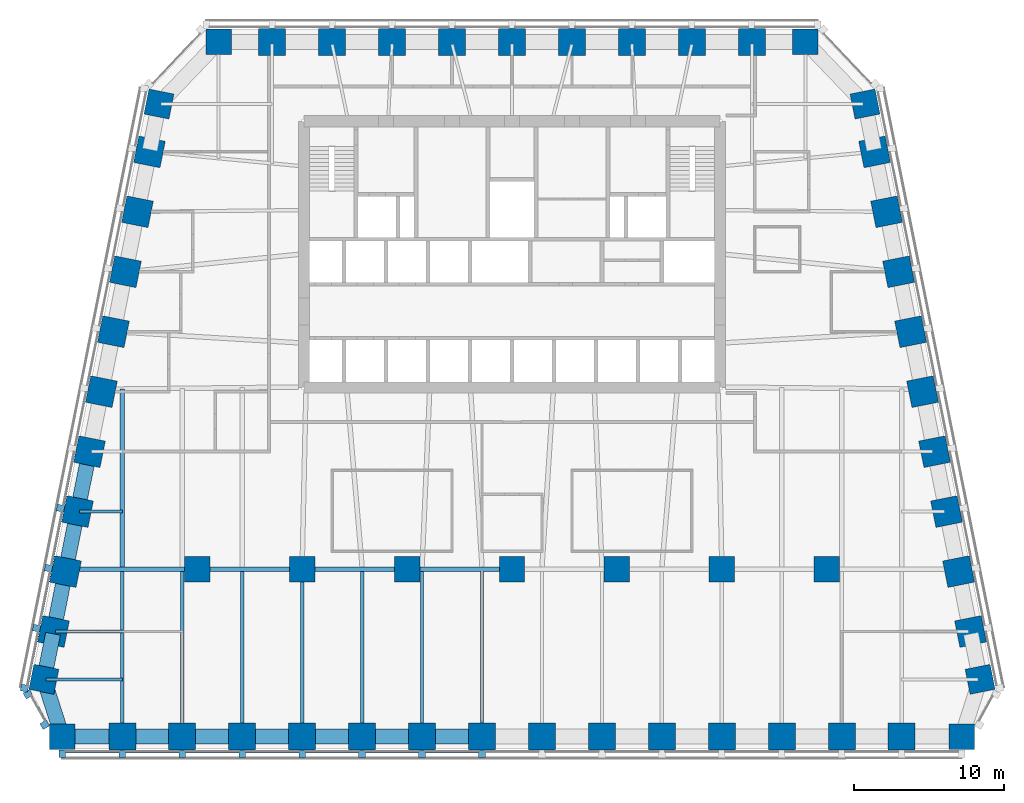
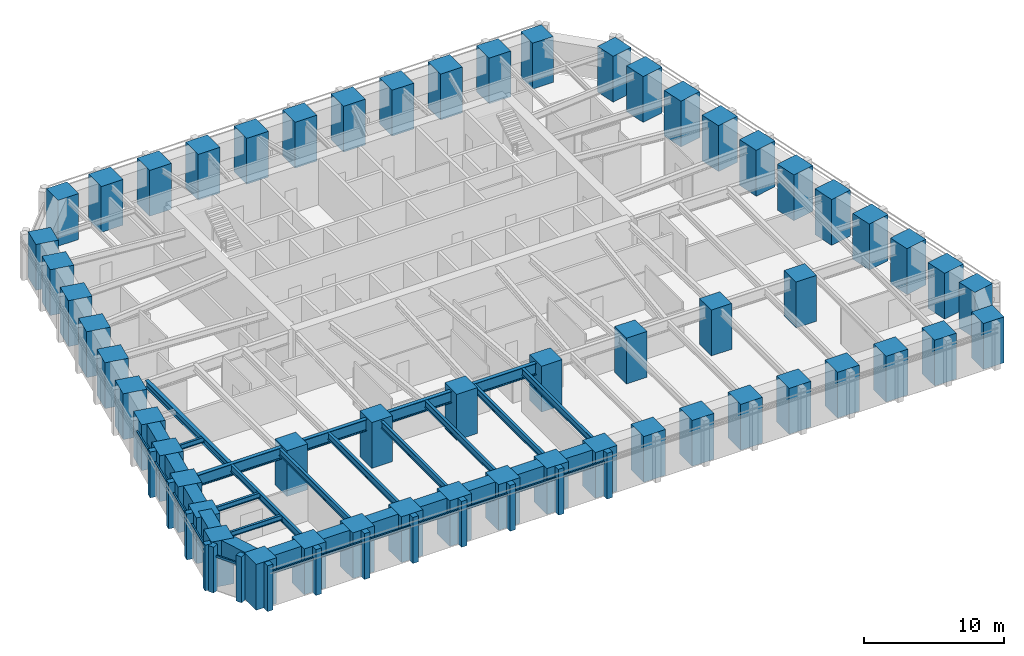
# One storey, part 1 of 10: 56 columns, 27 beams, 26 members, 3 elements without a shape of their own.
"""IFC4 building model written with IfcOpenShell, lengths in metres."""

from ifc_helpers import new_model, si_unit, direction, frame, origin, origin_2d, place, context, subcontext, project, spatial, rectangle, i_section, extrude, material, material_profile, profile_set, type_object, element, aggregate, save


model = new_model("IFC4")

# Units and contexts
model_context = context("Model", 3, precision=1e-05, world=origin(), true_north=direction((0.0, 1.0)))
body_context = subcontext(model_context, "Body", "Model", "MODEL_VIEW")
ifc_project = project(units=[si_unit("LENGTHUNIT", "METRE"), si_unit("AREAUNIT", "SQUARE_METRE"), si_unit("VOLUMEUNIT", "CUBIC_METRE"), si_unit("PLANEANGLEUNIT", "RADIAN"), si_unit("MASSUNIT", "GRAM", prefix="KILO")], contexts=[model_context])

# Site, building, storey
site_placement = place(None, origin())
site = spatial("IfcSite", under=ifc_project, at=site_placement, CompositionType="ELEMENT")
building_placement = place(site_placement, origin())
building = spatial("IfcBuilding", under=site, at=building_placement, Name="Isbrekke Arena Tower", CompositionType="ELEMENT")
storey_placement = place(building_placement, frame((0.0, 0.0, 115.0)))
storey = spatial("IfcBuildingStorey", under=building, at=storey_placement, Name="L25", CompositionType="ELEMENT", Elevation=115.0)

# Columns
ifc_material_1 = material(Name="Concrete B80 (C80/95)", Category="concrete")
ifc_material_profile_1 = material_profile(ifc_material_1, rectangle(XDim=1.699951171875, YDim=1.699951171875, at=origin_2d()), Name="RC 1700x1700")
ifc_profile_set_1 = profile_set([ifc_material_profile_1], Name="Concrete B80 (C80/95)")
column_type_1 = type_object("IfcColumnType", Name="C12 RC 1700 x 1700", PredefinedType="COLUMN", material=ifc_profile_set_1)
for number, where, z_axis, x_axis, name in (
    (1, (-21.0, -6.0, 0.0), (0.0, 0.0, 1.0), (1.0, 0.0, 0.0), "C12 I01"),
    (2, (-14.0, -6.0, 0.0), (0.0, 0.0, 1.0), (1.0, 0.0, 0.0), "C12 I02"),
    (3, (-7.0, -6.0, 0.0), (0.0, 0.0, 1.0), (1.0, 0.0, 0.0), "C12 I03"),
    (4, (0.0, -6.0, 0.0), (0.0, 0.0, 1.0), (1.0, 0.0, 0.0), "C12 I04"),
    (5, (7.0, -6.0, 0.0), (0.0, 0.0, 1.0), (1.0, 0.0, 0.0), "C12 I05"),
    (6, (14.0, -6.0, 0.0), (0.0, 0.0, 1.0), (1.0, 0.0, 0.0), "C12 I06"),
    (7, (21.0, -6.0, 0.0), (0.0, 0.0, 1.0), (1.0, 0.0, 0.0), "C12 I07"),
):
    element("IfcColumn", number, at=place(storey_placement, frame(where, z_axis=z_axis, x_axis=x_axis)), inside=storey, type_object=column_type_1, Name=name, PredefinedType="COLUMN", context=body_context, shape_type="SweptSolid", body=[
        extrude(rectangle(XDim=1.699951171875, YDim=1.699951171875, at=origin_2d()), origin(), (0.0, 0.0, 1.0), 4.0),
    ])
ifc_material_2 = material(Name="Concrete B80 (C80/95)", Category="concrete")
ifc_material_profile_2 = material_profile(ifc_material_2, rectangle(XDim=1.800048828125, YDim=1.800048828125, at=origin_2d()), Name="RC 1800x1800")
ifc_profile_set_2 = profile_set([ifc_material_profile_2], Name="Concrete B80 (C80/95)")
column_type_2 = type_object("IfcColumnType", Name="C3 RC 1800 x 1800", PredefinedType="COLUMN", material=ifc_profile_set_2)
for number, where, z_axis, x_axis, name in (
    (8, (-26.0, -17.175048828125, 0.0), (0.0, 0.0, 1.0), (1.0, 0.0, 0.0), "C3 S02"),
    (9, (-22.0, -17.175048828125, 0.0), (0.0, 0.0, 1.0), (1.0, 0.0, 0.0), "C3 S03"),
    (10, (-18.0, -17.175048828125, 0.0), (0.0, 0.0, 1.0), (1.0, 0.0, 0.0), "C3 S04"),
    (11, (-14.0, -17.175048828125, 0.0), (0.0, 0.0, 1.0), (1.0, 0.0, 0.0), "C3 S05"),
    (12, (-10.0, -17.175048828125, 0.0), (0.0, 0.0, 1.0), (1.0, 0.0, 0.0), "C3 S06"),
    (13, (-6.0, -17.175048828125, 0.0), (0.0, 0.0, 1.0), (1.0, 0.0, 0.0), "C3 S07"),
    (14, (-2.0, -17.175048828125, 0.0), (0.0, 0.0, 1.0), (1.0, 0.0, 0.0), "C3 S08"),
    (15, (2.0, -17.175048828125, 0.0), (0.0, 0.0, 1.0), (1.0, 0.0, 0.0), "C3 S09"),
    (16, (6.0, -17.175048828125, 0.0), (0.0, 0.0, 1.0), (1.0, 0.0, 0.0), "C3 S10"),
    (17, (10.0, -17.175048828125, 0.0), (0.0, 0.0, 1.0), (1.0, 0.0, 0.0), "C3 S11"),
    (18, (14.0, -17.175048828125, 0.0), (0.0, 0.0, 1.0), (1.0, 0.0, 0.0), "C3 S12"),
    (19, (18.0, -17.175048828125, 0.0), (0.0, 0.0, 1.0), (1.0, 0.0, 0.0), "C3 S13"),
    (20, (22.0, -17.175048828125, 0.0), (0.0, 0.0, 1.0), (1.0, 0.0, 0.0), "C3 S14"),
    (21, (26.0, -17.175048828125, 0.0), (0.0, 0.0, 1.0), (1.0, 0.0, 0.0), "C3 S15"),
    (22, (30.591064453125, -10.161865234375, 0.0), (0.0, 0.0, 1.0), (-0.196116135138, 0.980580675691, 0.0), "C3 E02"),
    (23, (29.791015625, -6.161865234375, 0.0), (0.0, 0.0, 1.0), (-0.196116135138, 0.980580675691, 0.0), "C3 E03"),
    (24, (28.990966796875, -2.161865234375, 0.0), (0.0, 0.0, 1.0), (-0.196116135138, 0.980580675691, 0.0), "C3 E04"),
    (25, (28.19091796875, 1.838134765625, 0.0), (0.0, 0.0, 1.0), (-0.196116135138, 0.980580675691, 0.0), "C3 E05"),
    (26, (27.39111328125, 5.838134765625, 0.0), (0.0, 0.0, 1.0), (-0.196116135138, 0.980580675691, 0.0), "C3 E06"),
    (27, (26.591064453125, 9.838134765625, 0.0), (0.0, 0.0, 1.0), (-0.196116135138, 0.980580675691, 0.0), "C3 E07"),
    (28, (25.791015625, 13.838134765625, 0.0), (0.0, 0.0, 1.0), (-0.196116135138, 0.980580675691, 0.0), "C3 E08"),
    (29, (24.990966796875, 17.838134765625, 0.0), (0.0, 0.0, 1.0), (-0.196116135138, 0.980580675691, 0.0), "C3 E09"),
    (30, (24.19091796875, 21.838134765625, 0.0), (0.0, 0.0, 1.0), (-0.196116135138, 0.980580675691, 0.0), "C3 E10"),
    (31, (16.0, 29.175048828125, 0.0), (0.0, 0.0, 1.0), (-1.0, 0.0, 0.0), "C3 N02"),
    (32, (12.0, 29.175048828125, 0.0), (0.0, 0.0, 1.0), (-1.0, 0.0, 0.0), "C3 N03"),
    (33, (8.0, 29.175048828125, 0.0), (0.0, 0.0, 1.0), (-1.0, 0.0, 0.0), "C3 N04"),
    (34, (4.0, 29.175048828125, 0.0), (0.0, 0.0, 1.0), (-1.0, 0.0, 0.0), "C3 N05"),
    (35, (0.0, 29.175048828125, 0.0), (0.0, 0.0, 1.0), (-1.0, 0.0, 0.0), "C3 N06"),
    (36, (-4.0, 29.175048828125, 0.0), (0.0, 0.0, 1.0), (-1.0, 0.0, 0.0), "C3 N07"),
    (37, (-8.0, 29.175048828125, 0.0), (0.0, 0.0, 1.0), (-1.0, 0.0, 0.0), "C3 N08"),
    (38, (-12.0, 29.175048828125, 0.0), (0.0, 0.0, 1.0), (-1.0, 0.0, 0.0), "C3 N09"),
    (39, (-16.0, 29.175048828125, 0.0), (0.0, 0.0, 1.0), (-1.0, 0.0, 0.0), "C3 N10"),
    (40, (-24.19091796875, 21.838134765625, 0.0), (0.0, 0.0, 1.0), (-0.196116135138, -0.980580675691, 0.0), "C3 W02"),
    (41, (-24.990966796875, 17.838134765625, 0.0), (0.0, 0.0, 1.0), (-0.196116135138, -0.980580675691, 0.0), "C3 W03"),
    (42, (-25.791015625, 13.838134765625, 0.0), (0.0, 0.0, 1.0), (-0.196116135138, -0.980580675691, 0.0), "C3 W04"),
    (43, (-26.591064453125, 9.838134765625, 0.0), (0.0, 0.0, 1.0), (-0.196116135138, -0.980580675691, 0.0), "C3 W05"),
    (44, (-27.39111328125, 5.838134765625, 0.0), (0.0, 0.0, 1.0), (-0.196116135138, -0.980580675691, 0.0), "C3 W06"),
    (45, (-28.19091796875, 1.838134765625, 0.0), (0.0, 0.0, 1.0), (-0.196116135138, -0.980580675691, 0.0), "C3 W07"),
    (46, (-28.990966796875, -2.161865234375, 0.0), (0.0, 0.0, 1.0), (-0.196116135138, -0.980580675691, 0.0), "C3 W08"),
    (47, (-29.791015625, -6.161865234375, 0.0), (0.0, 0.0, 1.0), (-0.196116135138, -0.980580675691, 0.0), "C3 W09"),
    (48, (-30.591064453125, -10.161865234375, 0.0), (0.0, 0.0, 1.0), (-0.196116135138, -0.980580675691, 0.0), "C3 W10"),
):
    element("IfcColumn", number, at=place(storey_placement, frame(where, z_axis=z_axis, x_axis=x_axis)), inside=storey, type_object=column_type_2, Name=name, PredefinedType="COLUMN", context=body_context, shape_type="SweptSolid", body=[
        extrude(rectangle(XDim=1.800048828125, YDim=1.800048828125, at=origin_2d()), origin(), (0.0, 0.0, 1.0), 4.0),
    ])
ifc_material_3 = material(Name="Concrete B80 (C80/95)", Category="concrete")
ifc_material_profile_3 = material_profile(ifc_material_3, rectangle(XDim=1.699951171875, YDim=1.699951171875, at=origin_2d()), Name="RC 1700x1700")
ifc_profile_set_3 = profile_set([ifc_material_profile_3], Name="Concrete B80 (C80/95)")
column_type_3 = type_object("IfcColumnType", Name="C7 RC 1700 x 1700", PredefinedType="COLUMN", material=ifc_profile_set_3)
for number, where, z_axis, x_axis, name in (
    (49, (-30.0, -17.175048828125, 0.0), (0.0, 0.0, 1.0), (1.0, 0.0, 0.0), "C7 S01"),
    (50, (30.0, -17.175048828125, 0.0), (0.0, 0.0, 1.0), (1.0, 0.0, 0.0), "C7 S16"),
    (51, (31.229248046875, -13.352783203125, 0.0), (0.0, 0.0, 1.0), (-0.196116135138, 0.980580675691, 0.0), "C7 E01"),
    (52, (23.552734375, 25.029296875, 0.0), (0.0, 0.0, 1.0), (-0.196116135138, 0.980580675691, 0.0), "C7 E11"),
    (53, (19.574951171875, 29.175048828125, 0.0), (0.0, 0.0, 1.0), (-1.0, 0.0, 0.0), "C7 N01"),
    (54, (-19.574951171875, 29.175048828125, 0.0), (0.0, 0.0, 1.0), (-1.0, 0.0, 0.0), "C7 N11"),
    (55, (-23.552734375, 25.029296875, 0.0), (0.0, 0.0, 1.0), (-0.196116135138, -0.980580675691, 0.0), "C7 W01"),
    (56, (-31.229248046875, -13.352783203125, 0.0), (0.0, 0.0, 1.0), (-0.196116135138, -0.980580675691, 0.0), "C7 W11"),
):
    element("IfcColumn", number, at=place(storey_placement, frame(where, z_axis=z_axis, x_axis=x_axis)), inside=storey, type_object=column_type_3, Name=name, PredefinedType="COLUMN", context=body_context, shape_type="SweptSolid", body=[
        extrude(rectangle(XDim=1.699951171875, YDim=1.699951171875, at=origin_2d()), origin(), (0.0, 0.0, 1.0), 4.0),
    ])

# Beams
ifc_material_4 = material(Name="Steel S355", Category="steel")
ifc_material_profile_4 = material_profile(ifc_material_4, i_section(OverallWidth=0.219970703125, OverallDepth=0.60009765625, WebThickness=0.011962890625, FlangeThickness=0.01904296875, FilletRadius=0.02392578125, at=origin_2d()), Name="IPE 600")
ifc_profile_set_4 = profile_set([ifc_material_profile_4], Name="Steel S355")
beam_type_1 = type_object("IfcBeamType", Name="B1 IPE 600", PredefinedType="BEAM", material=ifc_profile_set_4)
for number, where, z_axis, x_axis, name in (
    (57, (-26.0, -17.02490234375, 3.550048828125), (0.0, 1.0, 0.0), (-1.0, 0.0, 0.0), "B1 beam S-S02 L25"),
    (58, (-22.0, -17.02490234375, 3.550048828125), (0.0, 1.0, 0.0), (-1.0, 0.0, 0.0), "B1 beam S-S03 L25"),
    (59, (-18.0, -17.02490234375, 3.550048828125), (0.0, 1.0, 0.0), (-1.0, 0.0, 0.0), "B1 beam S-S04 L25"),
):
    element("IfcBeam", number, at=place(storey_placement, frame(where, z_axis=z_axis, x_axis=x_axis)), inside=storey, type_object=beam_type_1, Name=name, PredefinedType="BEAM", context=body_context, shape_type="SweptSolid", body=[
        extrude(i_section(OverallWidth=0.219970703125, OverallDepth=0.60009765625, WebThickness=0.011962890625, FlangeThickness=0.01904296875, FilletRadius=0.02392578125, at=origin_2d()), origin(), (0.0, 0.0, 1.0), 10.8740234375),
    ])
beam_1_placement = place(storey_placement, frame((-14.0, -17.02490234375, 3.550048828125), z_axis=(0.0, 1.0, 0.0), x_axis=(-1.0, 0.0, 0.0)))
element("IfcBeam", 60, at=beam_1_placement, inside=storey, type_object=beam_type_1, Name="B1 beam S-S05 L25", PredefinedType="BEAM", context=body_context, shape_type="SweptSolid", body=[
    extrude(i_section(OverallWidth=0.219970703125, OverallDepth=0.60009765625, WebThickness=0.011962890625, FlangeThickness=0.01904296875, FilletRadius=0.02392578125, at=origin_2d()), origin(), (0.0, 0.0, 1.0), 10.875),
])
for number, where, z_axis, x_axis, name in (
    (61, (-10.0, -17.02490234375, 3.550048828125), (0.0, 1.0, 0.0), (-1.0, 0.0, 0.0), "B1 beam S-S06 L25"),
    (62, (-6.0, -17.02490234375, 3.550048828125), (0.0, 1.0, 0.0), (-1.0, 0.0, 0.0), "B1 beam S-S07 L25"),
    (63, (-2.0, -17.02490234375, 3.550048828125), (0.0, 1.0, 0.0), (-1.0, 0.0, 0.0), "B1 beam S-S08 L25"),
):
    element("IfcBeam", number, at=place(storey_placement, frame(where, z_axis=z_axis, x_axis=x_axis)), inside=storey, type_object=beam_type_1, Name=name, PredefinedType="BEAM", context=body_context, shape_type="SweptSolid", body=[
        extrude(i_section(OverallWidth=0.219970703125, OverallDepth=0.60009765625, WebThickness=0.011962890625, FlangeThickness=0.01904296875, FilletRadius=0.02392578125, at=origin_2d()), origin(), (0.0, 0.0, 1.0), 10.8740234375),
    ])
ifc_material_5 = material(Name="Steel S355", Category="steel")
ifc_material_profile_5 = material_profile(ifc_material_5, i_section(OverallWidth=0.18994140625, OverallDepth=0.449951171875, WebThickness=0.009521484375, FlangeThickness=0.0146484375, FilletRadius=0.02099609375, at=origin_2d()), Name="IPE 450")
ifc_profile_set_5 = profile_set([ifc_material_profile_5], Name="Steel S355")
beam_type_2 = type_object("IfcBeamType", Name="B2 IPE 450", PredefinedType="BEAM", material=ifc_profile_set_5)
beam_2_placement = place(storey_placement, frame((-28.841064453125, -2.161865234375, 3.625), z_axis=(1.0, 0.0, 0.0), x_axis=(0.0, 1.0, 0.0)))
element("IfcBeam", 64, at=beam_2_placement, inside=storey, type_object=beam_type_2, Name="B2 beam E-W08 L25", PredefinedType="BEAM", context=body_context, shape_type="SweptSolid", body=[
    extrude(i_section(OverallWidth=0.18994140625, OverallDepth=0.449951171875, WebThickness=0.009521484375, FlangeThickness=0.0146484375, FilletRadius=0.02099609375, at=origin_2d()), origin(), (0.0, 0.0, 1.0), 2.841064453125),
])
beam_3_placement = place(storey_placement, frame((-30.44091796875, -10.161865234375, 3.625), z_axis=(1.0, 0.0, 0.0), x_axis=(0.0, 1.0, 0.0)))
element("IfcBeam", 65, at=beam_3_placement, inside=storey, type_object=beam_type_2, Name="B2 beam E-W10 L25", PredefinedType="BEAM", context=body_context, shape_type="SweptSolid", body=[
    extrude(i_section(OverallWidth=0.18994140625, OverallDepth=0.449951171875, WebThickness=0.009521484375, FlangeThickness=0.0146484375, FilletRadius=0.02099609375, at=origin_2d()), origin(), (0.0, 0.0, 1.0), 4.44091796875),
])
beam_4_placement = place(storey_placement, frame((-31.079345703125, -13.352783203125, 3.625), z_axis=(1.0, 0.0, 0.0), x_axis=(0.0, 1.0, 0.0)))
element("IfcBeam", 66, at=beam_4_placement, inside=storey, type_object=beam_type_2, Name="B2 beam E-W11 L25", PredefinedType="BEAM", context=body_context, shape_type="SweptSolid", body=[
    extrude(i_section(OverallWidth=0.18994140625, OverallDepth=0.449951171875, WebThickness=0.009521484375, FlangeThickness=0.0146484375, FilletRadius=0.02099609375, at=origin_2d()), origin(), (0.0, 0.0, 1.0), 5.079345703125),
])
ifc_material_6 = material(Name="Steel S355", Category="steel")
ifc_material_profile_6 = material_profile(ifc_material_6, i_section(OverallWidth=0.300048828125, OverallDepth=0.60009765625, WebThickness=0.015380859375, FlangeThickness=0.030029296875, FilletRadius=0.027099609375, at=origin_2d()), Name="HEB 600")
ifc_profile_set_6 = profile_set([ifc_material_profile_6], Name="Steel S355")
beam_type_3 = type_object("IfcBeamType", Name="B7 HEB 600", PredefinedType="BEAM", material=ifc_profile_set_6)
beam_5_placement = place(storey_placement, frame((-26.0, -5.84912109375, 3.550048828125), z_axis=(0.0, 1.0, 0.0), x_axis=(-1.0, 0.0, 0.0)))
element("IfcBeam", 67, at=beam_5_placement, inside=storey, type_object=beam_type_3, Name="B7 beam C-M01 L25", PredefinedType="BEAM", context=body_context, shape_type="SweptSolid", body=[
    extrude(i_section(OverallWidth=0.300048828125, OverallDepth=0.60009765625, WebThickness=0.015380859375, FlangeThickness=0.030029296875, FilletRadius=0.027099609375, at=origin_2d()), origin(), (0.0, 0.0, 1.0), 11.864990234375),
])

# Curtain wall, members
ifc_material_7 = material(Name="Glazed aluminium curtain wall", Category="aluminium")
curtain_wall_type = type_object("IfcCurtainWallType", Name="CWM TOWER CURTAIN WALL MID ZONE", PredefinedType="USERDEFINED", material=ifc_material_7)
curtain_wall_1_placement = place(storey_placement, origin())
curtain_wall_1 = element("IfcCurtainWall", 68, at=curtain_wall_1_placement, inside=storey, type_object=curtain_wall_type, Name="CWM curtain wall L25-S", ObjectType="TOWER CURTAIN WALL MID ZONE", PredefinedType="USERDEFINED")
ifc_material_8 = material(Name="Aluminium mullion, pale brick slip cladding", Category="masonry")
ifc_material_profile_7 = material_profile(ifc_material_8, rectangle(XDim=0.449951171875, YDim=0.5, at=origin_2d()), Name="PIER 450X500")
ifc_profile_set_7 = profile_set([ifc_material_profile_7], Name="Aluminium mullion, pale brick slip cladding")
member_type_1 = type_object("IfcMemberType", Name="CWM-M PIER MULLION 450 x 500", PredefinedType="MULLION", material=ifc_profile_set_7)
member_1_placement = place(storey_placement, frame((-30.0, -18.324951171875, 0.0), z_axis=(0.0, 0.0, 1.0), x_axis=(1.0, 0.0, 0.0)))
member_1 = element("IfcMember", 69, at=member_1_placement, type_object=member_type_1, Name="CWM-M mullion 1", PredefinedType="MULLION", context=body_context, shape_type="SweptSolid", body=[
    extrude(rectangle(XDim=0.449951171875, YDim=0.5, at=origin_2d()), origin(), (0.0, 0.0, 1.0), 4.0),
])
member_2_placement = place(storey_placement, frame((-26.0, -18.324951171875, 0.0), z_axis=(0.0, 0.0, 1.0), x_axis=(1.0, 0.0, 0.0)))
member_2 = element("IfcMember", 70, at=member_2_placement, type_object=member_type_1, Name="CWM-M mullion 2", PredefinedType="MULLION", context=body_context, shape_type="SweptSolid", body=[
    extrude(rectangle(XDim=0.449951171875, YDim=0.5, at=origin_2d()), origin(), (0.0, 0.0, 1.0), 4.0),
])
member_3_placement = place(storey_placement, frame((-22.0, -18.324951171875, 0.0), z_axis=(0.0, 0.0, 1.0), x_axis=(1.0, 0.0, 0.0)))
member_3 = element("IfcMember", 71, at=member_3_placement, type_object=member_type_1, Name="CWM-M mullion 3", PredefinedType="MULLION", context=body_context, shape_type="SweptSolid", body=[
    extrude(rectangle(XDim=0.449951171875, YDim=0.5, at=origin_2d()), origin(), (0.0, 0.0, 1.0), 4.0),
])
member_4_placement = place(storey_placement, frame((-18.0, -18.324951171875, 0.0), z_axis=(0.0, 0.0, 1.0), x_axis=(1.0, 0.0, 0.0)))
member_4 = element("IfcMember", 72, at=member_4_placement, type_object=member_type_1, Name="CWM-M mullion 4", PredefinedType="MULLION", context=body_context, shape_type="SweptSolid", body=[
    extrude(rectangle(XDim=0.449951171875, YDim=0.5, at=origin_2d()), origin(), (0.0, 0.0, 1.0), 4.0),
])
member_5_placement = place(storey_placement, frame((-14.0, -18.324951171875, 0.0), z_axis=(0.0, 0.0, 1.0), x_axis=(1.0, 0.0, 0.0)))
member_5 = element("IfcMember", 73, at=member_5_placement, type_object=member_type_1, Name="CWM-M mullion 5", PredefinedType="MULLION", context=body_context, shape_type="SweptSolid", body=[
    extrude(rectangle(XDim=0.449951171875, YDim=0.5, at=origin_2d()), origin(), (0.0, 0.0, 1.0), 4.0),
])
member_6_placement = place(storey_placement, frame((-10.0, -18.324951171875, 0.0), z_axis=(0.0, 0.0, 1.0), x_axis=(1.0, 0.0, 0.0)))
member_6 = element("IfcMember", 74, at=member_6_placement, type_object=member_type_1, Name="CWM-M mullion 6", PredefinedType="MULLION", context=body_context, shape_type="SweptSolid", body=[
    extrude(rectangle(XDim=0.449951171875, YDim=0.5, at=origin_2d()), origin(), (0.0, 0.0, 1.0), 4.0),
])
member_7_placement = place(storey_placement, frame((-6.0, -18.324951171875, 0.0), z_axis=(0.0, 0.0, 1.0), x_axis=(1.0, 0.0, 0.0)))
member_7 = element("IfcMember", 75, at=member_7_placement, type_object=member_type_1, Name="CWM-M mullion 7", PredefinedType="MULLION", context=body_context, shape_type="SweptSolid", body=[
    extrude(rectangle(XDim=0.449951171875, YDim=0.5, at=origin_2d()), origin(), (0.0, 0.0, 1.0), 4.0),
])
member_8_placement = place(storey_placement, frame((-2.0, -18.324951171875, 0.0), z_axis=(0.0, 0.0, 1.0), x_axis=(1.0, 0.0, 0.0)))
member_8 = element("IfcMember", 76, at=member_8_placement, type_object=member_type_1, Name="CWM-M mullion 8", PredefinedType="MULLION", context=body_context, shape_type="SweptSolid", body=[
    extrude(rectangle(XDim=0.449951171875, YDim=0.5, at=origin_2d()), origin(), (0.0, 0.0, 1.0), 4.0),
])

curtain_wall_2_placement = place(storey_placement, origin())
curtain_wall_2 = element("IfcCurtainWall", 77, at=curtain_wall_2_placement, inside=storey, type_object=curtain_wall_type, Name="CWM curtain wall L25-W", ObjectType="TOWER CURTAIN WALL MID ZONE", PredefinedType="USERDEFINED")
member_9_placement = place(storey_placement, frame((-30.11865234375, -1.936279296875, 0.0), z_axis=(0.0, 0.0, 1.0), x_axis=(-0.196116135138, -0.980580675691, 0.0)))
member_9 = element("IfcMember", 78, at=member_9_placement, type_object=member_type_1, Name="CWM-M mullion 8", PredefinedType="MULLION", context=body_context, shape_type="SweptSolid", body=[
    extrude(rectangle(XDim=0.449951171875, YDim=0.5, at=origin_2d()), origin(), (0.0, 0.0, 1.0), 4.0),
])
member_10_placement = place(storey_placement, frame((-30.918701171875, -5.936279296875, 0.0), z_axis=(0.0, 0.0, 1.0), x_axis=(-0.196116135138, -0.980580675691, 0.0)))
member_10 = element("IfcMember", 79, at=member_10_placement, type_object=member_type_1, Name="CWM-M mullion 9", PredefinedType="MULLION", context=body_context, shape_type="SweptSolid", body=[
    extrude(rectangle(XDim=0.449951171875, YDim=0.5, at=origin_2d()), origin(), (0.0, 0.0, 1.0), 4.0),
])
member_11_placement = place(storey_placement, frame((-31.71875, -9.936279296875, 0.0), z_axis=(0.0, 0.0, 1.0), x_axis=(-0.196116135138, -0.980580675691, 0.0)))
member_11 = element("IfcMember", 80, at=member_11_placement, type_object=member_type_1, Name="CWM-M mullion 10", PredefinedType="MULLION", context=body_context, shape_type="SweptSolid", body=[
    extrude(rectangle(XDim=0.449951171875, YDim=0.5, at=origin_2d()), origin(), (0.0, 0.0, 1.0), 4.0),
])
member_12_placement = place(storey_placement, frame((-32.518798828125, -13.936279296875, 0.0), z_axis=(0.0, 0.0, 1.0), x_axis=(-0.196116135138, -0.980580675691, 0.0)))
member_12 = element("IfcMember", 81, at=member_12_placement, type_object=member_type_1, Name="CWM-M mullion 11", PredefinedType="MULLION", context=body_context, shape_type="SweptSolid", body=[
    extrude(rectangle(XDim=0.449951171875, YDim=0.5, at=origin_2d()), origin(), (0.0, 0.0, 1.0), 4.0),
])

curtain_wall_3_placement = place(storey_placement, origin())
curtain_wall_3 = element("IfcCurtainWall", 82, at=curtain_wall_3_placement, inside=storey, type_object=curtain_wall_type, Name="CWM curtain wall L25-WS", ObjectType="TOWER CURTAIN WALL MID ZONE", PredefinedType="USERDEFINED")
member_13_placement = place(storey_placement, frame((-32.29638671875, -14.34326171875, 0.0), z_axis=(0.0, 0.0, 1.0), x_axis=(0.481918749773, -0.876215908676, 0.0)))
member_13 = element("IfcMember", 83, at=member_13_placement, type_object=member_type_1, Name="CWM-M mullion 1", PredefinedType="MULLION", context=body_context, shape_type="SweptSolid", body=[
    extrude(rectangle(XDim=0.449951171875, YDim=0.5, at=origin_2d()), origin(), (0.0, 0.0, 1.0), 4.0),
])
member_14_placement = place(storey_placement, frame((-31.174560546875, -16.38330078125, 0.0), z_axis=(0.0, 0.0, 1.0), x_axis=(0.481918749773, -0.876215908676, 0.0)))
member_14 = element("IfcMember", 84, at=member_14_placement, type_object=member_type_1, Name="CWM-M mullion 2", PredefinedType="MULLION", context=body_context, shape_type="SweptSolid", body=[
    extrude(rectangle(XDim=0.449951171875, YDim=0.5, at=origin_2d()), origin(), (0.0, 0.0, 1.0), 4.0),
])

# Member
ifc_material_9 = material(Name="Aluminium transom", Category="aluminium")
ifc_material_profile_8 = material_profile(ifc_material_9, rectangle(XDim=0.1201171875, YDim=0.199951171875, at=origin_2d()), Name="TRANSOM 120X200")
ifc_profile_set_8 = profile_set([ifc_material_profile_8], Name="Aluminium transom")
member_type_2 = type_object("IfcMemberType", Name="CWM-T TRANSOM 120 x 200", PredefinedType="USERDEFINED", material=ifc_profile_set_8)
member_15_placement = place(storey_placement, frame((-29.77490234375, -18.175048828125, 3.0), z_axis=(1.0, 0.0, 0.0), x_axis=(0.0, 1.0, 0.0)))
member_15 = element("IfcMember", 85, at=member_15_placement, type_object=member_type_2, Name="CWM-T transom 1", ObjectType="TRANSOM", PredefinedType="USERDEFINED", context=body_context, shape_type="SweptSolid", body=[
    extrude(rectangle(XDim=0.1201171875, YDim=0.199951171875, at=origin_2d()), origin(), (0.0, 0.0, 1.0), 3.5498046875),
])

member_16_placement = place(storey_placement, frame((-25.77490234375, -18.175048828125, 3.0), z_axis=(1.0, 0.0, 0.0), x_axis=(0.0, 1.0, 0.0)))
member_16 = element("IfcMember", 86, at=member_16_placement, type_object=member_type_2, Name="CWM-T transom 2", ObjectType="TRANSOM", PredefinedType="USERDEFINED", context=body_context, shape_type="SweptSolid", body=[
    extrude(rectangle(XDim=0.1201171875, YDim=0.199951171875, at=origin_2d()), origin(), (0.0, 0.0, 1.0), 3.5498046875),
])

member_17_placement = place(storey_placement, frame((-21.77490234375, -18.175048828125, 3.0), z_axis=(1.0, 0.0, 0.0), x_axis=(0.0, 1.0, 0.0)))
member_17 = element("IfcMember", 87, at=member_17_placement, type_object=member_type_2, Name="CWM-T transom 3", ObjectType="TRANSOM", PredefinedType="USERDEFINED", context=body_context, shape_type="SweptSolid", body=[
    extrude(rectangle(XDim=0.1201171875, YDim=0.199951171875, at=origin_2d()), origin(), (0.0, 0.0, 1.0), 3.5498046875),
])

member_18_placement = place(storey_placement, frame((-17.77490234375, -18.175048828125, 3.0), z_axis=(1.0, 0.0, 0.0), x_axis=(0.0, 1.0, 0.0)))
member_18 = element("IfcMember", 88, at=member_18_placement, type_object=member_type_2, Name="CWM-T transom 4", ObjectType="TRANSOM", PredefinedType="USERDEFINED", context=body_context, shape_type="SweptSolid", body=[
    extrude(rectangle(XDim=0.1201171875, YDim=0.199951171875, at=origin_2d()), origin(), (0.0, 0.0, 1.0), 3.5498046875),
])

member_19_placement = place(storey_placement, frame((-13.77490234375, -18.175048828125, 3.0), z_axis=(1.0, 0.0, 0.0), x_axis=(0.0, 1.0, 0.0)))
member_19 = element("IfcMember", 89, at=member_19_placement, type_object=member_type_2, Name="CWM-T transom 5", ObjectType="TRANSOM", PredefinedType="USERDEFINED", context=body_context, shape_type="SweptSolid", body=[
    extrude(rectangle(XDim=0.1201171875, YDim=0.199951171875, at=origin_2d()), origin(), (0.0, 0.0, 1.0), 3.5498046875),
])

member_20_placement = place(storey_placement, frame((-9.77490234375, -18.175048828125, 3.0), z_axis=(1.0, 0.0, 0.0), x_axis=(0.0, 1.0, 0.0)))
member_20 = element("IfcMember", 90, at=member_20_placement, type_object=member_type_2, Name="CWM-T transom 6", ObjectType="TRANSOM", PredefinedType="USERDEFINED", context=body_context, shape_type="SweptSolid", body=[
    extrude(rectangle(XDim=0.1201171875, YDim=0.199951171875, at=origin_2d()), origin(), (0.0, 0.0, 1.0), 3.5498046875),
])

member_21_placement = place(storey_placement, frame((-5.77490234375, -18.175048828125, 3.0), z_axis=(1.0, 0.0, 0.0), x_axis=(0.0, 1.0, 0.0)))
member_21 = element("IfcMember", 91, at=member_21_placement, type_object=member_type_2, Name="CWM-T transom 7", ObjectType="TRANSOM", PredefinedType="USERDEFINED", context=body_context, shape_type="SweptSolid", body=[
    extrude(rectangle(XDim=0.1201171875, YDim=0.199951171875, at=origin_2d()), origin(), (0.0, 0.0, 1.0), 3.5498046875),
])

aggregate(curtain_wall_1, [member_1, member_2, member_3, member_4, member_5, member_6, member_7, member_8, member_15, member_16, member_17, member_18, member_19, member_20, member_21])

member_22_placement = place(storey_placement, frame((-29.2158203125, 1.813720703125, 3.0), z_axis=(-0.196090262229, -0.980585849918, 0.0), x_axis=(0.980585849918, -0.196090262229, 0.0)))
member_22 = element("IfcMember", 92, at=member_22_placement, type_object=member_type_2, Name="CWM-T transom 7", ObjectType="TRANSOM", PredefinedType="USERDEFINED", context=body_context, shape_type="SweptSolid", body=[
    extrude(rectangle(XDim=0.1201171875, YDim=0.199951171875, at=origin_2d()), origin(), (0.0, 0.0, 1.0), 3.62939453125),
])

member_23_placement = place(storey_placement, frame((-30.015625, -2.186279296875, 3.0), z_axis=(-0.196154943734, -0.980572913173, 0.0), x_axis=(0.980572913173, -0.196154943734, 0.0)))
member_23 = element("IfcMember", 93, at=member_23_placement, type_object=member_type_2, Name="CWM-T transom 8", ObjectType="TRANSOM", PredefinedType="USERDEFINED", context=body_context, shape_type="SweptSolid", body=[
    extrude(rectangle(XDim=0.1201171875, YDim=0.199951171875, at=origin_2d()), origin(), (0.0, 0.0, 1.0), 3.62939453125),
])

member_24_placement = place(storey_placement, frame((-30.815673828125, -6.186279296875, 3.0), z_axis=(-0.196154943734, -0.980572913173, 0.0), x_axis=(0.980572913173, -0.196154943734, 0.0)))
member_24 = element("IfcMember", 94, at=member_24_placement, type_object=member_type_2, Name="CWM-T transom 9", ObjectType="TRANSOM", PredefinedType="USERDEFINED", context=body_context, shape_type="SweptSolid", body=[
    extrude(rectangle(XDim=0.1201171875, YDim=0.199951171875, at=origin_2d()), origin(), (0.0, 0.0, 1.0), 3.62939453125),
])

member_25_placement = place(storey_placement, frame((-31.61572265625, -10.186279296875, 3.0), z_axis=(-0.196090262229, -0.980585849918, 0.0), x_axis=(0.980585849918, -0.196090262229, 0.0)))
member_25 = element("IfcMember", 95, at=member_25_placement, type_object=member_type_2, Name="CWM-T transom 10", ObjectType="TRANSOM", PredefinedType="USERDEFINED", context=body_context, shape_type="SweptSolid", body=[
    extrude(rectangle(XDim=0.1201171875, YDim=0.199951171875, at=origin_2d()), origin(), (0.0, 0.0, 1.0), 3.62939453125),
])

aggregate(curtain_wall_2, [member_9, member_10, member_11, member_12, member_22, member_23, member_24, member_25])

member_26_placement = place(storey_placement, frame((-32.056640625, -14.46826171875, 3.0), z_axis=(0.481918749772, -0.876215908677, 0.0), x_axis=(0.876215908677, 0.481918749772, 0.0)))
member_26 = element("IfcMember", 96, at=member_26_placement, type_object=member_type_2, Name="CWM-T transom 1", ObjectType="TRANSOM", PredefinedType="USERDEFINED", context=body_context, shape_type="SweptSolid", body=[
    extrude(rectangle(XDim=0.1201171875, YDim=0.199951171875, at=origin_2d()), origin(), (0.0, 0.0, 1.0), 1.8779296875),
])

aggregate(curtain_wall_3, [member_13, member_14, member_26])

# Beams
ifc_material_10 = material(Name="Steel S355", Category="steel")
ifc_material_profile_9 = material_profile(ifc_material_10, i_section(OverallWidth=0.302001953125, OverallDepth=1.008056640625, WebThickness=0.02099609375, FlangeThickness=0.0400390625, FilletRadius=0.030029296875, at=origin_2d()), Name="HEM 1000")
ifc_profile_set_9 = profile_set([ifc_material_profile_9], Name="Steel S355")
beam_type_4 = type_object("IfcBeamType", Name="G1 HEM 1000", PredefinedType="BEAM", material=ifc_profile_set_9)
beam_6_placement = place(storey_placement, frame((-29.791015625, -6.0, 3.345947265625), z_axis=(1.0, 0.0, 0.0), x_axis=(0.0, 1.0, 0.0)))
element("IfcBeam", 97, at=beam_6_placement, inside=storey, type_object=beam_type_4, Name="G1 beam G1-01 L25", PredefinedType="BEAM", context=body_context, shape_type="SweptSolid", body=[
    extrude(i_section(OverallWidth=0.302001953125, OverallDepth=1.008056640625, WebThickness=0.02099609375, FlangeThickness=0.0400390625, FilletRadius=0.030029296875, at=origin_2d()), origin(), (0.0, 0.0, 1.0), 8.64111328125),
])
for number, where, z_axis, x_axis, name in (
    (98, (-20.85009765625, -6.0, 3.345947265625), (1.0, 0.0, 0.0), (0.0, 1.0, 0.0), "G1 beam G1-02 L25"),
    (99, (-13.85009765625, -6.0, 3.345947265625), (1.0, 0.0, 0.0), (0.0, 1.0, 0.0), "G1 beam G1-03 L25"),
    (100, (-6.85009765625, -6.0, 3.345947265625), (1.0, 0.0, 0.0), (0.0, 1.0, 0.0), "G1 beam G1-04 L25"),
):
    element("IfcBeam", number, at=place(storey_placement, frame(where, z_axis=z_axis, x_axis=x_axis)), inside=storey, type_object=beam_type_4, Name=name, PredefinedType="BEAM", context=body_context, shape_type="SweptSolid", body=[
        extrude(i_section(OverallWidth=0.302001953125, OverallDepth=1.008056640625, WebThickness=0.02099609375, FlangeThickness=0.0400390625, FilletRadius=0.030029296875, at=origin_2d()), origin(), (0.0, 0.0, 1.0), 6.7001953125),
    ])
ifc_material_11 = material(Name="Concrete B80 (C80/95)", Category="concrete")
ifc_material_profile_10 = material_profile(ifc_material_11, rectangle(XDim=1.0, YDim=1.60009765625, at=origin_2d()), Name="RC 1000x1600")
ifc_profile_set_10 = profile_set([ifc_material_profile_10], Name="Concrete B80 (C80/95)")
beam_type_5 = type_object("IfcBeamType", Name="SB2 RC 1000 x 1600", PredefinedType="SPANDREL", material=ifc_profile_set_10)
for number, where, z_axis, x_axis, name in (
    (101, (-29.85009765625, -17.175048828125, 3.199951171875), (1.0, 0.0, 0.0), (0.0, 1.0, 0.0), "SB2 spandrel S01-S02 L25"),
    (102, (-25.85009765625, -17.175048828125, 3.199951171875), (1.0, 0.0, 0.0), (0.0, 1.0, 0.0), "SB2 spandrel S02-S03 L25"),
    (103, (-21.85009765625, -17.175048828125, 3.199951171875), (1.0, 0.0, 0.0), (0.0, 1.0, 0.0), "SB2 spandrel S03-S04 L25"),
    (104, (-17.85009765625, -17.175048828125, 3.199951171875), (1.0, 0.0, 0.0), (0.0, 1.0, 0.0), "SB2 spandrel S04-S05 L25"),
    (105, (-13.85009765625, -17.175048828125, 3.199951171875), (1.0, 0.0, 0.0), (0.0, 1.0, 0.0), "SB2 spandrel S05-S06 L25"),
    (106, (-9.85009765625, -17.175048828125, 3.199951171875), (1.0, 0.0, 0.0), (0.0, 1.0, 0.0), "SB2 spandrel S06-S07 L25"),
    (107, (-5.85009765625, -17.175048828125, 3.199951171875), (1.0, 0.0, 0.0), (0.0, 1.0, 0.0), "SB2 spandrel S07-S08 L25"),
):
    element("IfcBeam", number, at=place(storey_placement, frame(where, z_axis=z_axis, x_axis=x_axis)), inside=storey, type_object=beam_type_5, Name=name, PredefinedType="SPANDREL", context=body_context, shape_type="SweptSolid", body=[
        extrude(rectangle(XDim=1.0, YDim=1.60009765625, at=origin_2d()), origin(), (0.0, 0.0, 1.0), 3.7001953125),
    ])
for number, where, z_axis, x_axis, name in (
    (108, (-28.220458984375, 1.691162109375, 3.199951171875), (-0.196128558387, -0.980578190959, 0.0), (0.980578190959, -0.196128558387, 0.0), "SB2 spandrel W07-W08 L25"),
    (109, (-29.0205078125, -2.308837890625, 3.199951171875), (-0.196128558387, -0.980578190959, 0.0), (0.980578190959, -0.196128558387, 0.0), "SB2 spandrel W08-W09 L25"),
):
    element("IfcBeam", number, at=place(storey_placement, frame(where, z_axis=z_axis, x_axis=x_axis)), inside=storey, type_object=beam_type_5, Name=name, PredefinedType="SPANDREL", context=body_context, shape_type="SweptSolid", body=[
        extrude(rectangle(XDim=1.0, YDim=1.60009765625, at=origin_2d()), origin(), (0.0, 0.0, 1.0), 3.779296875),
    ])
beam_7_placement = place(storey_placement, frame((-29.820556640625, -6.308837890625, 3.199951171875), z_axis=(-0.1960664412, -0.980590613169, 0.0), x_axis=(0.980590613169, -0.1960664412, 0.0)))
element("IfcBeam", 110, at=beam_7_placement, inside=storey, type_object=beam_type_5, Name="SB2 spandrel W09-W10 L25", PredefinedType="SPANDREL", context=body_context, shape_type="SweptSolid", body=[
    extrude(rectangle(XDim=1.0, YDim=1.60009765625, at=origin_2d()), origin(), (0.0, 0.0, 1.0), 3.779052734375),
])
beam_8_placement = place(storey_placement, frame((-30.620361328125, -10.308837890625, 3.199951171875), z_axis=(-0.196100243168, -0.980583853951, 0.0), x_axis=(0.980583853951, -0.196100243168, 0.0)))
element("IfcBeam", 111, at=beam_8_placement, inside=storey, type_object=beam_type_5, Name="SB2 spandrel W10-W11 L25", PredefinedType="SPANDREL", context=body_context, shape_type="SweptSolid", body=[
    extrude(rectangle(XDim=1.0, YDim=1.60009765625, at=origin_2d()), origin(), (0.0, 0.0, 1.0), 2.954345703125),
])
beam_9_placement = place(storey_placement, frame((-31.183349609375, -13.49560546875, 3.199951171875), z_axis=(0.306175101476, -0.951975213562, 0.0), x_axis=(0.951975213562, 0.306175101476, 0.0)))
element("IfcBeam", 112, at=beam_9_placement, inside=storey, type_object=beam_type_5, Name="SB2 spandrel W11-S01 L25", PredefinedType="SPANDREL", context=body_context, shape_type="SweptSolid", body=[
    extrude(rectangle(XDim=1.0, YDim=1.60009765625, at=origin_2d()), origin(), (0.0, 0.0, 1.0), 3.715087890625),
])

save(model, "model.ifc")
